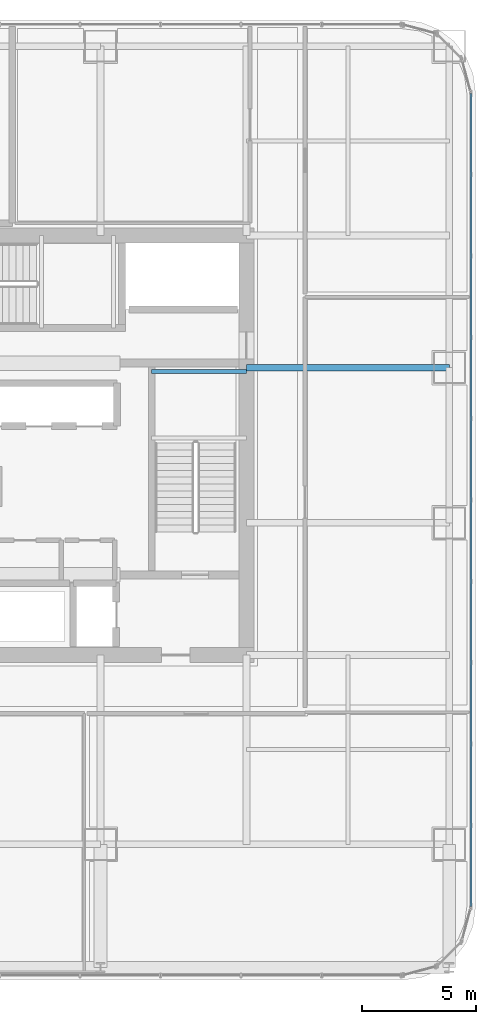
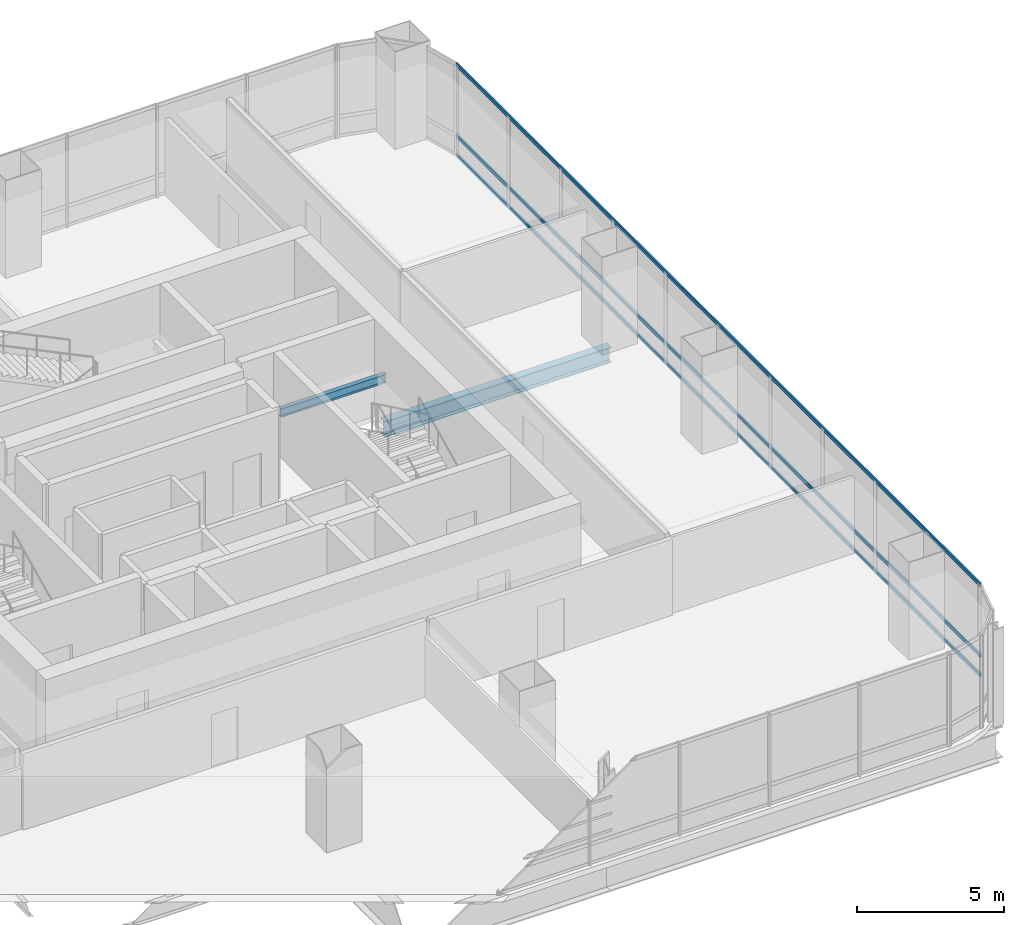
# One storey, part 16 of 36: 3 members, 2 beams, 1 element without a shape of its own.
"""IFC4 building model written with IfcOpenShell, lengths in metres."""

from ifc_helpers import new_model, si_unit, direction, frame, origin, origin_2d, place, context, subcontext, project, spatial, hollow_rectangle, i_section, extrude, material, material_profile, profile_set, type_object, element, aggregate, save


model = new_model("IFC4")

# Units and contexts
model_context = context("Model", 3, precision=1e-05, world=origin(), true_north=direction((0.0, 1.0)))
body_context = subcontext(model_context, "Body", "Model", "MODEL_VIEW")
ifc_project = project(units=[si_unit("LENGTHUNIT", "METRE"), si_unit("AREAUNIT", "SQUARE_METRE"), si_unit("VOLUMEUNIT", "CUBIC_METRE"), si_unit("PLANEANGLEUNIT", "RADIAN"), si_unit("MASSUNIT", "GRAM", prefix="KILO")], contexts=[model_context])

# Site, building, storey
site_placement = place(None, origin())
site = spatial("IfcSite", under=ifc_project, at=site_placement, CompositionType="ELEMENT")
building_placement = place(site_placement, origin())
building = spatial("IfcBuilding", under=site, at=building_placement, Name="Punatoya Terracotta Tower", CompositionType="ELEMENT")
storey_placement = place(building_placement, frame((0.0, 0.0, 184.35009765625)))
storey = spatial("IfcBuildingStorey", under=building, at=storey_placement, Name="L43", CompositionType="ELEMENT", Elevation=184.35009765625)

# Beams
ifc_material_1 = material(Name="Steel S355", Category="steel")
ifc_material_profile_1 = material_profile(ifc_material_1, i_section(OverallWidth=0.300048828125, OverallDepth=0.64990234375, WebThickness=0.01611328125, FlangeThickness=0.031005859375, FilletRadius=0.01806640625, at=origin_2d()))
ifc_profile_set_1 = profile_set([ifc_material_profile_1], Name="Steel S355")
beam_type_1 = type_object("IfcBeamType", Name="BM-PRI-650", PredefinedType="BEAM", material=ifc_profile_set_1)
beam_1_placement = place(storey_placement, frame((10.199951171875, 3.39990234375, -0.545166015625), z_axis=(1.0, 0.0, 0.0), x_axis=(0.0, 1.0, 0.0)))
element("IfcBeam", 1, at=beam_1_placement, inside=storey, type_object=beam_type_1, Name="BM-L43-PR-EE", PredefinedType="BEAM", context=body_context, shape_type="SweptSolid", body=[
    extrude(i_section(OverallWidth=0.300048828125, OverallDepth=0.64990234375, WebThickness=0.01611328125, FlangeThickness=0.031005859375, FilletRadius=0.01806640625, at=origin_2d()), origin(), (0.0, 0.0, 1.0), 8.900146484375),
])
ifc_material_profile_2 = material_profile(ifc_material_1, i_section(OverallWidth=0.169921875, OverallDepth=0.360107421875, WebThickness=0.008056640625, FlangeThickness=0.0126953125, FilletRadius=0.01806640625, at=origin_2d()))
ifc_profile_set_2 = profile_set([ifc_material_profile_2], Name="Steel S355")
beam_type_2 = type_object("IfcBeamType", Name="BM-SEC-360", PredefinedType="JOIST", material=ifc_profile_set_2)
beam_2_placement = place(storey_placement, frame((6.050048828125, 3.22998046875, 1.64501953125), z_axis=(1.0, 0.0, 0.0), x_axis=(0.0, 1.0, 0.0)))
element("IfcBeam", 2, at=beam_2_placement, inside=storey, type_object=beam_type_2, Name="BM-L43-ST-2-LD1B", PredefinedType="JOIST", context=body_context, shape_type="SweptSolid", body=[
    extrude(i_section(OverallWidth=0.169921875, OverallDepth=0.360107421875, WebThickness=0.008056640625, FlangeThickness=0.0126953125, FilletRadius=0.01806640625, at=origin_2d()), origin(), (0.0, 0.0, 1.0), 4.14990234375),
])

# Curtain wall, members
ifc_material_2 = material(Name="Aluminium 6063-T6 + Double Low-E Glass", Category="aluminium")
curtain_wall_type = type_object("IfcCurtainWallType", Name="CW-M2", PredefinedType="NOTDEFINED", material=ifc_material_2)
curtain_wall_placement = place(storey_placement, origin())
curtain_wall = element("IfcCurtainWall", 3, at=curtain_wall_placement, inside=storey, type_object=curtain_wall_type, Name="L43 Curtain Wall CW-L43-E05-1", PredefinedType="NOTDEFINED")
ifc_material_3 = material(Name="Aluminium 6063-T6", Category="aluminium")
ifc_material_profile_3 = material_profile(ifc_material_3, hollow_rectangle(XDim=0.068115234375, YDim=0.14990234375, WallThickness=0.00390625, at=origin_2d()))
ifc_profile_set_3 = profile_set([ifc_material_profile_3], Name="Aluminium 6063-T6")
member_type = type_object("IfcMemberType", Name="CW-TRN-TYP", PredefinedType="USERDEFINED", material=ifc_profile_set_3)
member_1_placement = place(storey_placement, frame((20.050048828125, -20.23681640625, 0.039794921875), z_axis=(0.0, 1.0, 0.0), x_axis=(-1.0, 0.0, 0.0)))
member_1 = element("IfcMember", 4, at=member_1_placement, type_object=member_type, Name="CW-L43-E05-1 Transom 1", ObjectType="TRANSOM", PredefinedType="USERDEFINED", context=body_context, shape_type="SweptSolid", body=[
    extrude(hollow_rectangle(XDim=0.068115234375, YDim=0.14990234375, WallThickness=0.00390625, at=origin_2d()), origin(), (0.0, 0.0, 1.0), 35.673828125),
])
member_2_placement = place(storey_placement, frame((20.050048828125, -20.23681640625, 0.849853515625), z_axis=(0.0, 1.0, 0.0), x_axis=(-1.0, 0.0, 0.0)))
member_2 = element("IfcMember", 5, at=member_2_placement, type_object=member_type, Name="CW-L43-E05-1 Transom 2", ObjectType="TRANSOM", PredefinedType="USERDEFINED", context=body_context, shape_type="SweptSolid", body=[
    extrude(hollow_rectangle(XDim=0.068115234375, YDim=0.14990234375, WallThickness=0.00390625, at=origin_2d()), origin(), (0.0, 0.0, 1.0), 35.673828125),
])
member_3_placement = place(storey_placement, frame((20.050048828125, -20.23681640625, 3.789794921875), z_axis=(0.0, 1.0, 0.0), x_axis=(-1.0, 0.0, 0.0)))
member_3 = element("IfcMember", 6, at=member_3_placement, type_object=member_type, Name="CW-L43-E05-1 Transom 3", ObjectType="TRANSOM", PredefinedType="USERDEFINED", context=body_context, shape_type="SweptSolid", body=[
    extrude(hollow_rectangle(XDim=0.068115234375, YDim=0.14990234375, WallThickness=0.00390625, at=origin_2d()), origin(), (0.0, 0.0, 1.0), 35.673828125),
])
aggregate(curtain_wall, [member_1, member_2, member_3])

save(model, "model.ifc")
